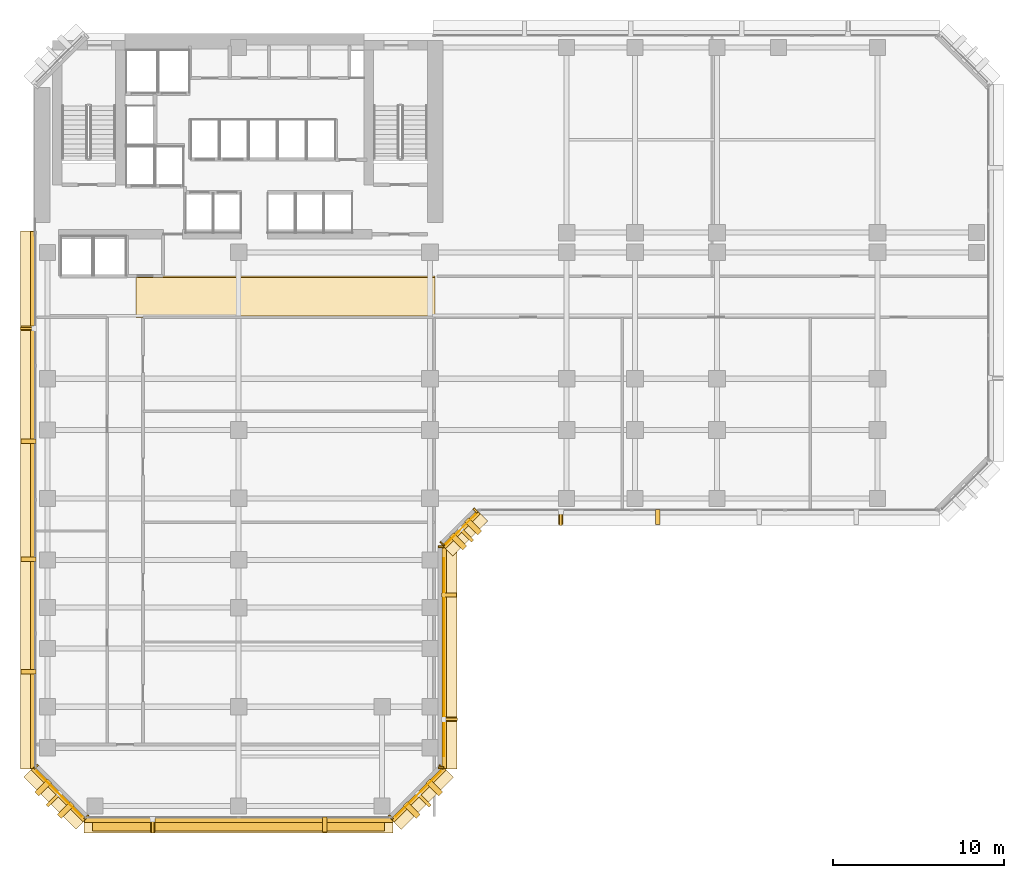
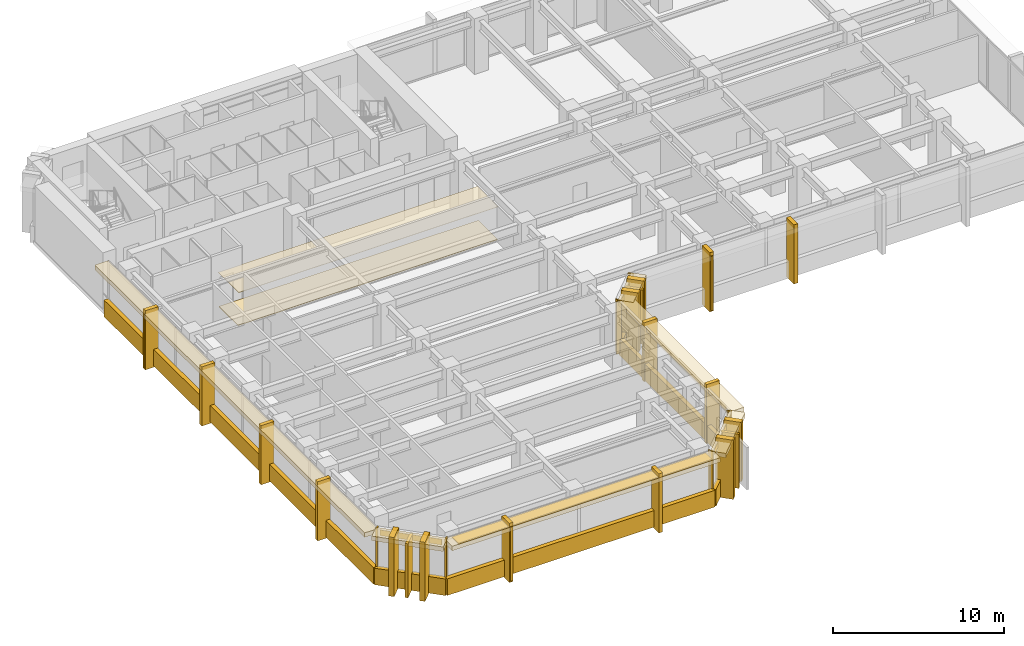
# One storey, part 10 of 14: 42 coverings, 8 shading devices.
"""IFC4 building model written with IfcOpenShell, lengths in metres."""

from ifc_helpers import new_model, si_unit, direction, frame, origin, origin_2d, place, context, subcontext, project, spatial, polyline, rectangle, outline, extrude, material, layer, layer_set, material_profile, profile_set, type_object, element, save


model = new_model("IFC4")

# Units and contexts
model_context = context("Model", 3, precision=1e-05, world=origin(), true_north=direction((0.0, 1.0)))
body_context = subcontext(model_context, "Body", "Model", "MODEL_VIEW")
ifc_project = project(units=[si_unit("LENGTHUNIT", "METRE"), si_unit("AREAUNIT", "SQUARE_METRE"), si_unit("VOLUMEUNIT", "CUBIC_METRE"), si_unit("PLANEANGLEUNIT", "RADIAN"), si_unit("MASSUNIT", "GRAM", prefix="KILO")], contexts=[model_context])

# Site, building, storey
site_placement = place(None, origin())
site = spatial("IfcSite", under=ifc_project, at=site_placement, CompositionType="ELEMENT")
building_placement = place(site_placement, origin())
building = spatial("IfcBuilding", under=site, at=building_placement, Name="Kefirva Bronze Tower", CompositionType="ELEMENT")
storey_placement = place(building_placement, frame((0.0, 0.0, 34.320068359375)))
storey = spatial("IfcBuildingStorey", under=building, at=storey_placement, Name="L07", CompositionType="ELEMENT", Elevation=34.320068359375)

# Coverings
ifc_material_1 = material(Name="Acoustic mineral tile")
ifc_layer_1 = layer(ifc_material_1, 0.02490234375, Name="Acoustic mineral tile")
ifc_layer_set_1 = layer_set([ifc_layer_1], Name="Acoustic mineral tile")
covering_type_1 = type_object("IfcCoveringType", Name="Acoustic Mineral Suspended Ceiling 25mm", PredefinedType="CEILING", material=ifc_layer_set_1)
covering_1_placement = place(storey_placement, frame((0.0, 0.0, 2.39990234375)))
element("IfcCovering", 1, at=covering_1_placement, inside=storey, type_object=covering_type_1, Name="L07 Corridor Acoustic Ceiling", PredefinedType="CEILING", context=body_context, shape_type="SweptSolid", body=[
    extrude(outline(polyline([(6.0, 29.39990234375), (23.5, 29.39990234375), (23.5, 31.800048828125), (6.0, 31.800048828125), (6.0, 29.39990234375)])), origin(), (0.0, 0.0, 1.0), 0.025146484375),
])
ifc_material_2 = material(Name="Bronze anodised aluminium", Category="aluminium")
ifc_layer_2 = layer(ifc_material_2, 0.02001953125, Name="Bronze anodised aluminium")
ifc_layer_set_2 = layer_set([ifc_layer_2], Name="Bronze anodised aluminium")
covering_type_2 = type_object("IfcCoveringType", Name="Anodised Bronze Spandrel Cladding 20mm", PredefinedType="CLADDING", material=ifc_layer_set_2)
covering_2_placement = place(storey_placement, frame((12.0, -0.0400390625, -0.16015625), z_axis=(0.0, 0.0, 1.0), x_axis=(1.0, 0.0, 0.0)))
element("IfcCovering", 2, at=covering_2_placement, inside=storey, type_object=covering_type_2, Name="L07 Streamline Horizontal Spandrel Band 0", PredefinedType="CLADDING", context=body_context, shape_type="SweptSolid", body=[
    extrude(rectangle(XDim=18.0400390625, YDim=0.280029296875, at=origin_2d()), origin(), (0.0, 0.0, 1.0), 1.179931640625),
])
covering_3_placement = place(storey_placement, frame((22.507080078125, 1.492919921875, 3.2900390625), z_axis=(0.0, 0.0, 1.0), x_axis=(0.707106781187, 0.707106781187, 0.0)))
element("IfcCovering", 3, at=covering_3_placement, inside=storey, type_object=covering_type_2, Name="L07 Bronze Spandrel Cladding 1", PredefinedType="CLADDING", context=body_context, shape_type="SweptSolid", body=[
    extrude(rectangle(XDim=3.719482421875, YDim=0.02001953125, at=origin_2d()), origin(), (0.0, 0.0, 1.0), 0.39990234375),
])
for number, where, z_axis, x_axis, name in (
    (4, (20.91162109375, 0.137939453125, 0.0), (0.0, 0.0, 1.0), (0.707106781187, 0.707106781187, 0.0), "L07 Facade Joint Closure Panel 1S"),
    (5, (23.862060546875, 3.08837890625, 0.0), (0.0, 0.0, 1.0), (0.707106781187, 0.707106781187, 0.0), "L07 Facade Joint Closure Panel 1E"),
):
    element("IfcCovering", number, at=place(storey_placement, frame(where, z_axis=z_axis, x_axis=x_axis)), inside=storey, type_object=covering_type_2, Name=name, PredefinedType="CLADDING", context=body_context, shape_type="SweptSolid", body=[
        extrude(rectangle(XDim=0.10009765625, YDim=0.320068359375, at=origin_2d()), origin(), (0.0, 0.0, 1.0), 3.7099609375),
    ])
covering_4_placement = place(storey_placement, frame((22.5283203125, 1.4716796875, -0.16015625), z_axis=(0.0, 0.0, 1.0), x_axis=(0.707106781187, 0.707106781187, 0.0)))
element("IfcCovering", 6, at=covering_4_placement, inside=storey, type_object=covering_type_2, Name="L07 Streamline Horizontal Spandrel Band 1", PredefinedType="CLADDING", context=body_context, shape_type="SweptSolid", body=[
    extrude(rectangle(XDim=4.28271484375, YDim=0.280029296875, at=origin_2d()), origin(), (0.0, 0.0, 1.0), 1.179931640625),
])
covering_5_placement = place(storey_placement, frame((24.010009765625, 9.5, 3.2900390625), z_axis=(0.0, 0.0, 1.0), x_axis=(0.0, 1.0, 0.0)))
element("IfcCovering", 7, at=covering_5_placement, inside=storey, type_object=covering_type_2, Name="L07 Bronze Spandrel Cladding 2", PredefinedType="CLADDING", context=body_context, shape_type="SweptSolid", body=[
    extrude(rectangle(XDim=11.60107421875, YDim=0.02001953125, at=origin_2d()), origin(), (0.0, 0.0, 1.0), 0.39990234375),
])
for number, where, z_axis, x_axis, name in (
    (8, (23.840087890625, 3.034912109375, 0.0), (0.0, 0.0, 1.0), (0.0, 1.0, 0.0), "L07 Facade Joint Closure Panel 2S"),
    (9, (23.840087890625, 15.965087890625, 0.0), (0.0, 0.0, 1.0), (0.0, 1.0, 0.0), "L07 Facade Joint Closure Panel 2E"),
):
    element("IfcCovering", number, at=place(storey_placement, frame(where, z_axis=z_axis, x_axis=x_axis)), inside=storey, type_object=covering_type_2, Name=name, PredefinedType="CLADDING", context=body_context, shape_type="SweptSolid", body=[
        extrude(rectangle(XDim=0.10009765625, YDim=0.320068359375, at=origin_2d()), origin(), (0.0, 0.0, 1.0), 3.7099609375),
    ])
covering_6_placement = place(storey_placement, frame((24.0400390625, 9.5, -0.16015625), z_axis=(0.0, 0.0, 1.0), x_axis=(0.0, 1.0, 0.0)))
element("IfcCovering", 10, at=covering_6_placement, inside=storey, type_object=covering_type_2, Name="L07 Streamline Horizontal Spandrel Band 2", PredefinedType="CLADDING", context=body_context, shape_type="SweptSolid", body=[
    extrude(rectangle(XDim=13.0400390625, YDim=0.280029296875, at=origin_2d()), origin(), (0.0, 0.0, 1.0), 1.179931640625),
])
covering_7_placement = place(storey_placement, frame((25.007080078125, 16.992919921875, 3.2900390625), z_axis=(0.0, 0.0, 1.0), x_axis=(0.707106781187, 0.707106781187, 0.0)))
element("IfcCovering", 11, at=covering_7_placement, inside=storey, type_object=covering_type_2, Name="L07 Bronze Spandrel Cladding 3", PredefinedType="CLADDING", context=body_context, shape_type="SweptSolid", body=[
    extrude(rectangle(XDim=2.446533203125, YDim=0.02001953125, at=origin_2d()), origin(), (0.0, 0.0, 1.0), 0.39990234375),
])
for number, where, z_axis, x_axis, name in (
    (12, (23.91162109375, 16.137939453125, 0.0), (0.0, 0.0, 1.0), (0.707106781187, 0.707106781187, 0.0), "L07 Facade Joint Closure Panel 3S"),
    (13, (25.862060546875, 18.08837890625, 0.0), (0.0, 0.0, 1.0), (0.707106781187, 0.707106781187, 0.0), "L07 Facade Joint Closure Panel 3E"),
):
    element("IfcCovering", number, at=place(storey_placement, frame(where, z_axis=z_axis, x_axis=x_axis)), inside=storey, type_object=covering_type_2, Name=name, PredefinedType="CLADDING", context=body_context, shape_type="SweptSolid", body=[
        extrude(rectangle(XDim=0.10009765625, YDim=0.320068359375, at=origin_2d()), origin(), (0.0, 0.0, 1.0), 3.7099609375),
    ])
covering_8_placement = place(storey_placement, frame((25.0283203125, 16.9716796875, -0.16015625), z_axis=(0.0, 0.0, 1.0), x_axis=(0.707106781187, 0.707106781187, 0.0)))
element("IfcCovering", 14, at=covering_8_placement, inside=storey, type_object=covering_type_2, Name="L07 Streamline Horizontal Spandrel Band 3", PredefinedType="CLADDING", context=body_context, shape_type="SweptSolid", body=[
    extrude(rectangle(XDim=2.868408203125, YDim=0.280029296875, at=origin_2d()), origin(), (0.0, 0.0, 1.0), 1.179931640625),
])
covering_9_placement = place(storey_placement, frame((-0.0400390625, 18.697509765625, -0.16015625), z_axis=(0.0, 0.0, 1.0), x_axis=(0.0, -1.0, 0.0)))
element("IfcCovering", 15, at=covering_9_placement, inside=storey, type_object=covering_type_2, Name="L07 Streamline Horizontal Spandrel Band 10", PredefinedType="CLADDING", context=body_context, shape_type="SweptSolid", body=[
    extrude(rectangle(XDim=31.43505859375, YDim=0.280029296875, at=origin_2d()), origin(), (0.0, 0.0, 1.0), 1.179931640625),
])
covering_10_placement = place(storey_placement, frame((1.492919921875, 1.492919921875, 3.2900390625), z_axis=(0.0, 0.0, 1.0), x_axis=(0.707106781187, -0.707106781187, 0.0)))
element("IfcCovering", 16, at=covering_10_placement, inside=storey, type_object=covering_type_2, Name="L07 Bronze Spandrel Cladding 7", PredefinedType="CLADDING", context=body_context, shape_type="SweptSolid", body=[
    extrude(rectangle(XDim=3.719482421875, YDim=0.02001953125, at=origin_2d()), origin(), (0.0, 0.0, 1.0), 0.39990234375),
])
for number, where, z_axis, x_axis, name in (
    (17, (0.137939453125, 3.08837890625, 0.0), (0.0, 0.0, 1.0), (0.707106781187, -0.707106781187, 0.0), "L07 Facade Joint Closure Panel 7S"),
    (18, (3.08837890625, 0.137939453125, 0.0), (0.0, 0.0, 1.0), (0.707106781187, -0.707106781187, 0.0), "L07 Facade Joint Closure Panel 7E"),
):
    element("IfcCovering", number, at=place(storey_placement, frame(where, z_axis=z_axis, x_axis=x_axis)), inside=storey, type_object=covering_type_2, Name=name, PredefinedType="CLADDING", context=body_context, shape_type="SweptSolid", body=[
        extrude(rectangle(XDim=0.10009765625, YDim=0.320068359375, at=origin_2d()), origin(), (0.0, 0.0, 1.0), 3.7099609375),
    ])
covering_11_placement = place(storey_placement, frame((1.4716796875, 1.4716796875, -0.16015625), z_axis=(0.0, 0.0, 1.0), x_axis=(0.707106781187, -0.707106781187, 0.0)))
element("IfcCovering", 19, at=covering_11_placement, inside=storey, type_object=covering_type_2, Name="L07 Streamline Horizontal Spandrel Band 11", PredefinedType="CLADDING", context=body_context, shape_type="SweptSolid", body=[
    extrude(rectangle(XDim=4.28271484375, YDim=0.280029296875, at=origin_2d()), origin(), (0.0, 0.0, 1.0), 1.179931640625),
])

# Shading devices
ifc_material_profile_1 = material_profile(ifc_material_2, rectangle(XDim=0.179931640625, YDim=1.080078125, at=origin_2d()), Name="BRONZE BUTTRESS FIN 180x1080")
ifc_profile_set_1 = profile_set([ifc_material_profile_1], Name="Bronze anodised aluminium")
shading_device_type_1 = type_object("IfcShadingDeviceType", Name="Chamfered Corner Buttress Bronze Fin 1080mm", PredefinedType="USERDEFINED", material=ifc_profile_set_1)
for number, where, z_axis, x_axis, name in (
    (20, (22.8251953125, 1.1748046875, -0.14013671875), (0.0, 0.0, 1.0), (0.707106781187, 0.707106781187, 0.0), "L07 Chamfered Corner Buttress Fin 4"),
    (21, (25.3251953125, 16.6748046875, -0.14013671875), (0.0, 0.0, 1.0), (0.707106781187, 0.707106781187, 0.0), "L07 Chamfered Corner Buttress Fin 8"),
    (22, (1.1748046875, 1.1748046875, -0.14013671875), (0.0, 0.0, 1.0), (0.707106781187, -0.707106781187, 0.0), "L07 Chamfered Corner Buttress Fin 30"),
):
    element("IfcShadingDevice", number, at=place(storey_placement, frame(where, z_axis=z_axis, x_axis=x_axis)), inside=storey, type_object=shading_device_type_1, Name=name, ObjectType="VERTICAL FIN", PredefinedType="USERDEFINED", context=body_context, shape_type="SweptSolid", body=[
        extrude(rectangle(XDim=0.179931640625, YDim=1.080078125, at=origin_2d()), origin(), (0.0, 0.0, 1.0), 3.85009765625),
    ])
ifc_layer_3 = layer(ifc_material_2, 0.090087890625, Name="Bronze anodised aluminium")
ifc_layer_set_3 = layer_set([ifc_layer_3], Name="Bronze anodised aluminium")
shading_device_type_2 = type_object("IfcShadingDeviceType", Name="Horizontal Bronze Sunshade Band 750mm", PredefinedType="JALOUSIE", material=ifc_layer_set_3)
shading_device_placement = place(storey_placement, frame((12.0, -0.294921875, 3.60498046875), z_axis=(0.0, 0.0, 1.0), x_axis=(1.0, 0.0, 0.0)))
element("IfcShadingDevice", 23, at=shading_device_placement, inside=storey, type_object=shading_device_type_2, Name="L07 Horizontal Bronze Sunshade Band 0", PredefinedType="JALOUSIE", context=body_context, shape_type="SweptSolid", body=[
    extrude(rectangle(XDim=17.090087890625, YDim=0.75, at=origin_2d()), origin(), (0.0, 0.0, 1.0), 0.090087890625),
])

# Coverings
ifc_material_3 = material(Name="Calcium sulphate access tile")
ifc_layer_4 = layer(ifc_material_3, 0.044921875, Name="Calcium sulphate access tile")
ifc_layer_set_4 = layer_set([ifc_layer_4], Name="Calcium sulphate access tile")
covering_type_3 = type_object("IfcCoveringType", Name="Raised Access Office Flooring 45mm", PredefinedType="FLOORING", material=ifc_layer_set_4)
covering_12_placement = place(storey_placement, origin())
element("IfcCovering", 24, at=covering_12_placement, inside=storey, type_object=covering_type_3, Name="L07 Architectural Finish Flooring", PredefinedType="FLOORING", context=body_context, shape_type="SweptSolid", body=[
    extrude(outline(polyline([(6.0, 29.47998046875), (23.5, 29.47998046875), (23.5, 31.719970703125), (6.0, 31.719970703125), (6.0, 29.47998046875)])), origin(), (0.0, 0.0, 1.0), 0.044921875),
])
ifc_layer_5 = layer(ifc_material_2, 0.179931640625, Name="Bronze anodised aluminium")
ifc_layer_set_5 = layer_set([ifc_layer_5], Name="Bronze anodised aluminium")
covering_type_4 = type_object("IfcCoveringType", Name="Streamline Bronze Sunshade Eyebrow Cladding 180mm", PredefinedType="CLADDING", material=ifc_layer_set_5)
covering_13_placement = place(storey_placement, frame((12.0, -0.31005859375, 3.39013671875), z_axis=(0.0, 0.0, 1.0), x_axis=(1.0, 0.0, 0.0)))
element("IfcCovering", 25, at=covering_13_placement, inside=storey, type_object=covering_type_4, Name="L07 Streamline Bronze Sunshade Eyebrow 0", PredefinedType="CLADDING", context=body_context, shape_type="SweptSolid", body=[
    extrude(rectangle(XDim=18.080078125, YDim=0.93994140625, at=origin_2d()), origin(), (0.0, 0.0, 1.0), 0.320068359375),
])
covering_14_placement = place(storey_placement, frame((22.71923828125, 1.28076171875, 3.39013671875), z_axis=(0.0, 0.0, 1.0), x_axis=(0.707106781187, 0.707106781187, 0.0)))
element("IfcCovering", 26, at=covering_14_placement, inside=storey, type_object=covering_type_4, Name="L07 Streamline Bronze Sunshade Eyebrow 1", PredefinedType="CLADDING", context=body_context, shape_type="SweptSolid", body=[
    extrude(rectangle(XDim=4.322509765625, YDim=0.93994140625, at=origin_2d()), origin(), (0.0, 0.0, 1.0), 0.320068359375),
])
covering_15_placement = place(storey_placement, frame((24.31005859375, 9.5, 3.39013671875), z_axis=(0.0, 0.0, 1.0), x_axis=(0.0, 1.0, 0.0)))
element("IfcCovering", 27, at=covering_15_placement, inside=storey, type_object=covering_type_4, Name="L07 Streamline Bronze Sunshade Eyebrow 2", PredefinedType="CLADDING", context=body_context, shape_type="SweptSolid", body=[
    extrude(rectangle(XDim=13.080078125, YDim=0.93994140625, at=origin_2d()), origin(), (0.0, 0.0, 1.0), 0.320068359375),
])
covering_16_placement = place(storey_placement, frame((25.21923828125, 16.78076171875, 3.39013671875), z_axis=(0.0, 0.0, 1.0), x_axis=(0.707106781187, 0.707106781187, 0.0)))
element("IfcCovering", 28, at=covering_16_placement, inside=storey, type_object=covering_type_4, Name="L07 Streamline Bronze Sunshade Eyebrow 3", PredefinedType="CLADDING", context=body_context, shape_type="SweptSolid", body=[
    extrude(rectangle(XDim=2.908447265625, YDim=0.93994140625, at=origin_2d()), origin(), (0.0, 0.0, 1.0), 0.320068359375),
])
covering_17_placement = place(storey_placement, frame((-0.31005859375, 18.697509765625, 3.39013671875), z_axis=(0.0, 0.0, 1.0), x_axis=(0.0, -1.0, 0.0)))
element("IfcCovering", 29, at=covering_17_placement, inside=storey, type_object=covering_type_4, Name="L07 Streamline Bronze Sunshade Eyebrow 10", PredefinedType="CLADDING", context=body_context, shape_type="SweptSolid", body=[
    extrude(rectangle(XDim=31.47509765625, YDim=0.93994140625, at=origin_2d()), origin(), (0.0, 0.0, 1.0), 0.320068359375),
])
covering_18_placement = place(storey_placement, frame((1.28076171875, 1.28076171875, 3.39013671875), z_axis=(0.0, 0.0, 1.0), x_axis=(0.707106781187, -0.707106781187, 0.0)))
element("IfcCovering", 30, at=covering_18_placement, inside=storey, type_object=covering_type_4, Name="L07 Streamline Bronze Sunshade Eyebrow 11", PredefinedType="CLADDING", context=body_context, shape_type="SweptSolid", body=[
    extrude(rectangle(XDim=4.322509765625, YDim=0.93994140625, at=origin_2d()), origin(), (0.0, 0.0, 1.0), 0.320068359375),
])
ifc_layer_6 = layer(ifc_material_2, 0.260009765625, Name="Bronze anodised aluminium")
ifc_layer_set_6 = layer_set([ifc_layer_6], Name="Bronze anodised aluminium")
covering_type_5 = type_object("IfcCoveringType", Name="Unbroken Bronze Buttress Fin Cladding 260mm", PredefinedType="CLADDING", material=ifc_layer_set_6)
for number, where, z_axis, x_axis, name in (
    (31, (6.9599609375, -0.300048828125, -0.25), (0.0, 0.0, 1.0), (1.0, 0.0, 0.0), "L07 Unbroken Vertical Bronze Rib Fin 1"),
    (32, (17.0400390625, -0.300048828125, -0.25), (0.0, 0.0, 1.0), (1.0, 0.0, 0.0), "L07 Unbroken Vertical Bronze Rib Fin 2"),
):
    element("IfcCovering", number, at=place(storey_placement, frame(where, z_axis=z_axis, x_axis=x_axis)), inside=storey, type_object=covering_type_5, Name=name, PredefinedType="CLADDING", context=body_context, shape_type="SweptSolid", body=[
        extrude(rectangle(XDim=0.260009765625, YDim=0.8798828125, at=origin_2d()), origin(), (0.0, 0.0, 1.0), 4.2099609375),
    ])
for number, where, z_axis, x_axis, name in (
    (33, (22.122802734375, 0.55712890625, -0.25), (0.0, 0.0, 1.0), (0.707106781187, 0.707106781187, 0.0), "L07 Chamfered Corner Buttress Fin Cladding 3"),
    (34, (23.44287109375, 1.877197265625, -0.25), (0.0, 0.0, 1.0), (0.707106781187, 0.707106781187, 0.0), "L07 Chamfered Corner Buttress Fin Cladding 4"),
):
    element("IfcCovering", number, at=place(storey_placement, frame(where, z_axis=z_axis, x_axis=x_axis)), inside=storey, type_object=covering_type_5, Name=name, PredefinedType="CLADDING", context=body_context, shape_type="SweptSolid", body=[
        extrude(rectangle(XDim=0.340087890625, YDim=1.080078125, at=origin_2d()), origin(), (0.0, 0.0, 1.0), 4.2099609375),
    ])
for number, where, z_axis, x_axis, name in (
    (35, (24.300048828125, 5.860107421875, -0.25), (0.0, 0.0, 1.0), (0.0, 1.0, 0.0), "L07 Unbroken Vertical Bronze Rib Fin 5"),
    (36, (24.300048828125, 13.139892578125, -0.25), (0.0, 0.0, 1.0), (0.0, 1.0, 0.0), "L07 Unbroken Vertical Bronze Rib Fin 6"),
):
    element("IfcCovering", number, at=place(storey_placement, frame(where, z_axis=z_axis, x_axis=x_axis)), inside=storey, type_object=covering_type_5, Name=name, PredefinedType="CLADDING", context=body_context, shape_type="SweptSolid", body=[
        extrude(rectangle(XDim=0.260009765625, YDim=0.8798828125, at=origin_2d()), origin(), (0.0, 0.0, 1.0), 4.2099609375),
    ])
for number, where, z_axis, x_axis, name in (
    (37, (24.8427734375, 16.277099609375, -0.25), (0.0, 0.0, 1.0), (0.707106781187, 0.707106781187, 0.0), "L07 Chamfered Corner Buttress Fin Cladding 7"),
    (38, (25.722900390625, 17.1572265625, -0.25), (0.0, 0.0, 1.0), (0.707106781187, 0.707106781187, 0.0), "L07 Chamfered Corner Buttress Fin Cladding 8"),
):
    element("IfcCovering", number, at=place(storey_placement, frame(where, z_axis=z_axis, x_axis=x_axis)), inside=storey, type_object=covering_type_5, Name=name, PredefinedType="CLADDING", context=body_context, shape_type="SweptSolid", body=[
        extrude(rectangle(XDim=0.340087890625, YDim=1.080078125, at=origin_2d()), origin(), (0.0, 0.0, 1.0), 4.2099609375),
    ])
for number, where, z_axis, x_axis, name in (
    (39, (30.860107421875, 17.699951171875, -0.25), (0.0, 0.0, 1.0), (1.0, 0.0, 0.0), "L07 Unbroken Vertical Bronze Rib Fin 9"),
    (40, (36.530029296875, 17.699951171875, -0.25), (0.0, 0.0, 1.0), (1.0, 0.0, 0.0), "L07 Unbroken Vertical Bronze Rib Fin 10"),
    (41, (-0.300048828125, 28.743896484375, -0.25), (0.0, 0.0, 1.0), (0.0, -1.0, 0.0), "L07 Unbroken Vertical Bronze Rib Fin 25"),
    (42, (-0.300048828125, 22.15087890625, -0.25), (0.0, 0.0, 1.0), (0.0, -1.0, 0.0), "L07 Unbroken Vertical Bronze Rib Fin 26"),
    (43, (-0.300048828125, 15.244140625, -0.25), (0.0, 0.0, 1.0), (0.0, -1.0, 0.0), "L07 Unbroken Vertical Bronze Rib Fin 27"),
    (44, (-0.300048828125, 8.651123046875, -0.25), (0.0, 0.0, 1.0), (0.0, -1.0, 0.0), "L07 Unbroken Vertical Bronze Rib Fin 28"),
):
    element("IfcCovering", number, at=place(storey_placement, frame(where, z_axis=z_axis, x_axis=x_axis)), inside=storey, type_object=covering_type_5, Name=name, PredefinedType="CLADDING", context=body_context, shape_type="SweptSolid", body=[
        extrude(rectangle(XDim=0.260009765625, YDim=0.8798828125, at=origin_2d()), origin(), (0.0, 0.0, 1.0), 4.2099609375),
    ])
for number, where, z_axis, x_axis, name in (
    (45, (0.55712890625, 1.877197265625, -0.25), (0.0, 0.0, 1.0), (0.707106781187, -0.707106781187, 0.0), "L07 Chamfered Corner Buttress Fin Cladding 29"),
    (46, (1.877197265625, 0.55712890625, -0.25), (0.0, 0.0, 1.0), (0.707106781187, -0.707106781187, 0.0), "L07 Chamfered Corner Buttress Fin Cladding 30"),
):
    element("IfcCovering", number, at=place(storey_placement, frame(where, z_axis=z_axis, x_axis=x_axis)), inside=storey, type_object=covering_type_5, Name=name, PredefinedType="CLADDING", context=body_context, shape_type="SweptSolid", body=[
        extrude(rectangle(XDim=0.340087890625, YDim=1.080078125, at=origin_2d()), origin(), (0.0, 0.0, 1.0), 4.2099609375),
    ])

# Shading devices
ifc_material_profile_2 = material_profile(ifc_material_2, rectangle(XDim=0.139892578125, YDim=0.8798828125, at=origin_2d()), Name="BRONZE FIN 140x880")
ifc_profile_set_2 = profile_set([ifc_material_profile_2], Name="Bronze anodised aluminium")
shading_device_type_3 = type_object("IfcShadingDeviceType", Name="Unbroken Vertical Bronze Facade Fin 880mm", PredefinedType="USERDEFINED", material=ifc_profile_set_2)
for number, where, z_axis, x_axis, name in (
    (47, (6.9599609375, -0.360107421875, -0.14013671875), (0.0, 0.0, 1.0), (1.0, 0.0, 0.0), "L07 Vertical Bronze Rib Fin 1"),
    (48, (24.360107421875, 5.860107421875, -0.14013671875), (0.0, 0.0, 1.0), (0.0, 1.0, 0.0), "L07 Vertical Bronze Rib Fin 5"),
    (49, (30.860107421875, 17.639892578125, -0.14013671875), (0.0, 0.0, 1.0), (1.0, 0.0, 0.0), "L07 Vertical Bronze Rib Fin 9"),
    (50, (-0.360107421875, 28.743896484375, -0.14013671875), (0.0, 0.0, 1.0), (0.0, -1.0, 0.0), "L07 Vertical Bronze Rib Fin 25"),
):
    element("IfcShadingDevice", number, at=place(storey_placement, frame(where, z_axis=z_axis, x_axis=x_axis)), inside=storey, type_object=shading_device_type_3, Name=name, ObjectType="VERTICAL FIN", PredefinedType="USERDEFINED", context=body_context, shape_type="SweptSolid", body=[
        extrude(rectangle(XDim=0.139892578125, YDim=0.8798828125, at=origin_2d()), origin(), (0.0, 0.0, 1.0), 3.85009765625),
    ])

save(model, "model.ifc")
